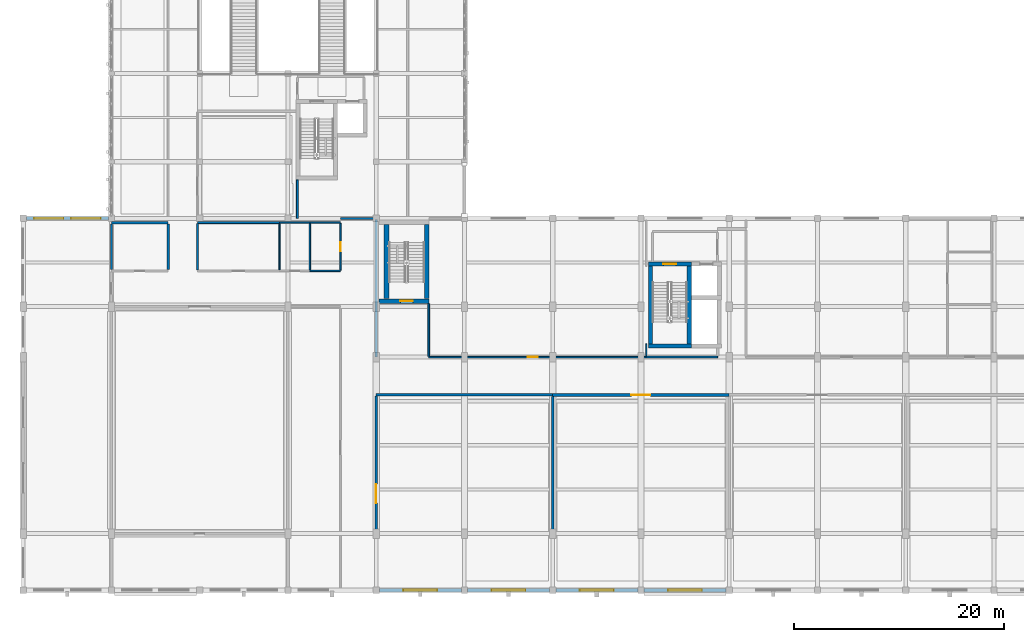
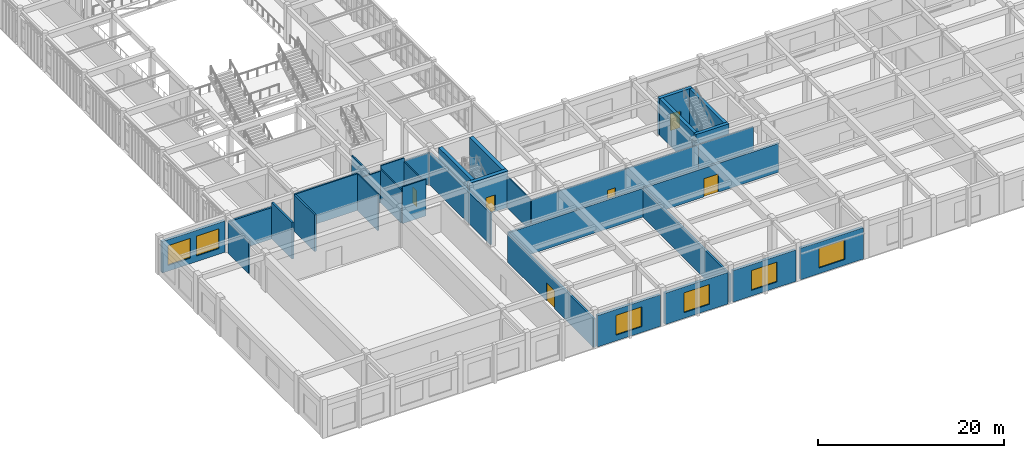
# One storey, part 72 of 93: 34 walls, 6 doors, 6 windows, 12 openings.
"""IFC4 building model written with IfcOpenShell, lengths in metres."""

from ifc_helpers import new_model, si_unit, direction, frame, frame_2d, origin, place, context, subcontext, project, spatial, rectangle, extrude, material, layer, layer_set, type_object, element, fill, save


model = new_model("IFC4")

# Units and contexts
model_context = context("Model", 3, precision=1e-05, world=origin(), true_north=direction((0.0, 1.0)))
body_context = subcontext(model_context, "Body", "Model", "MODEL_VIEW")
ifc_project = project(units=[si_unit("LENGTHUNIT", "METRE"), si_unit("AREAUNIT", "SQUARE_METRE"), si_unit("VOLUMEUNIT", "CUBIC_METRE"), si_unit("PLANEANGLEUNIT", "RADIAN"), si_unit("MASSUNIT", "GRAM", prefix="KILO")], contexts=[model_context])

# Site, building, storey
site_placement = place(None, origin())
site = spatial("IfcSite", under=ifc_project, at=site_placement, CompositionType="ELEMENT")
building_placement = place(site_placement, origin())
building = spatial("IfcBuilding", under=site, at=building_placement, Name="Krzemoval Escarpment Law Courts", CompositionType="ELEMENT")
storey_placement = place(building_placement, frame((0.0, 0.0, 10.199951171875)))
storey = spatial("IfcBuildingStorey", under=building, at=storey_placement, Name="L02", CompositionType="ELEMENT", Elevation=10.199951171875)

# Wall, openings, windows
ifc_material_1 = material(Name="Precast concrete C40/50", Category="concrete")
ifc_layer_1 = layer(ifc_material_1, 0.340087890625)
ifc_layer_set_1 = layer_set([ifc_layer_1], Name="Precast concrete C40/50")
wall_type_1 = type_object("IfcWallType", Name="WL-EXT-340", PredefinedType="SOLIDWALL", material=ifc_layer_set_1)
wall_1_placement = place(storey_placement, frame((0.300048828125, 35.39990234375, 0.0), z_axis=(0.0, 0.0, 1.0), x_axis=(1.0, 0.0, 0.0)))
wall_1 = element("IfcWall", 1, at=wall_1_placement, inside=storey, type_object=wall_type_1, Name="Exterior Wall EW-L02-0266", PredefinedType="SOLIDWALL", context=body_context, shape_type="SweptSolid", body=[
    extrude(rectangle(XDim=7.800048828125, YDim=0.340087890625, at=frame_2d((3.89990234375, 0.0))), origin(), (0.0, 0.0, 1.0), 4.1201171875),
])
opening_1_placement = place(wall_1_placement, frame((0.73291015625, 0.0, 0.75)))
opening_1 = element("IfcOpeningElement", 2, at=opening_1_placement, cuts=wall_1, Name="Opening WN-L02-0280", PredefinedType="OPENING", context=body_context, shape_type="SweptSolid", body=[
    extrude(rectangle(XDim=2.800048828125, YDim=2.60009765625, at=frame_2d((1.39990234375, 1.300048828125))), frame((0.0, 0.18504, 0.0), z_axis=(0.0, -1.0, 0.0), x_axis=(1.0, 0.0, 0.0)), (0.0, 0.0, 1.0), 0.37009),
])
opening_2_placement = place(wall_1_placement, frame((4.26708984375, 0.0, 0.75)))
opening_2 = element("IfcOpeningElement", 3, at=opening_2_placement, cuts=wall_1, Name="Opening WN-L02-0281", PredefinedType="OPENING", context=body_context, shape_type="SweptSolid", body=[
    extrude(rectangle(XDim=2.800048828125, YDim=2.60009765625, at=frame_2d((1.39990234375, 1.300048828125))), frame((0.0, 0.18504, 0.0), z_axis=(0.0, -1.0, 0.0), x_axis=(1.0, 0.0, 0.0)), (0.0, 0.0, 1.0), 0.37009),
])
ifc_material_2 = material(Name="Thermally Broken Aluminium Frame with Triple Low-E Acoustic Glass", Category="aluminium")
window_type_1 = type_object("IfcWindowType", Name="WN-2800x2600", PartitioningType="SINGLE_PANEL", PredefinedType="WINDOW", material=ifc_material_2)
window_1_placement = place(opening_1_placement, origin())
window_1 = element("IfcWindow", 4, at=window_1_placement, inside=storey, type_object=window_type_1, Name="Facade Window WN-L02-0280", OverallHeight=2.60009765625, OverallWidth=2.800048828125, PartitioningType="SINGLE_PANEL", PredefinedType="WINDOW", context=body_context, shape_type="SweptSolid", body=[
    extrude(rectangle(XDim=2.800048828125, YDim=2.60009765625, at=frame_2d((1.39990234375, 1.300048828125))), frame((0.0, 0.030029296875, 0.0), z_axis=(0.0, -1.0, 0.0), x_axis=(1.0, 0.0, 0.0)), (0.0, 0.0, 1.0), 0.06005859375),
])
fill(opening_1, window_1)
window_2_placement = place(opening_2_placement, origin())
window_2 = element("IfcWindow", 5, at=window_2_placement, inside=storey, type_object=window_type_1, Name="Facade Window WN-L02-0281", OverallHeight=2.60009765625, OverallWidth=2.800048828125, PartitioningType="SINGLE_PANEL", PredefinedType="WINDOW", context=body_context, shape_type="SweptSolid", body=[
    extrude(rectangle(XDim=2.800048828125, YDim=2.60009765625, at=frame_2d((1.39990234375, 1.300048828125))), frame((0.0, 0.030029296875, 0.0), z_axis=(0.0, -1.0, 0.0), x_axis=(1.0, 0.0, 0.0)), (0.0, 0.0, 1.0), 0.06005859375),
])
fill(opening_2, window_2)

# Wall, opening, window
wall_2_placement = place(storey_placement, frame((66.89990234375, 0.0, 0.0), z_axis=(0.0, 0.0, 1.0), x_axis=(-1.0, 0.0, 0.0)))
wall_2 = element("IfcWall", 6, at=wall_2_placement, inside=storey, type_object=wall_type_1, Name="Exterior Wall EW-L02-0298", PredefinedType="SOLIDWALL", context=body_context, shape_type="SweptSolid", body=[
    extrude(rectangle(XDim=7.7998046875, YDim=0.340087890625, at=frame_2d((3.89990234375, 0.0))), origin(), (0.0, 0.0, 1.0), 4.1201171875),
])
opening_3_placement = place(wall_2_placement, frame((2.300048828125, 0.0, 0.75)))
opening_3 = element("IfcOpeningElement", 7, at=opening_3_placement, cuts=wall_2, Name="Opening WN-L02-0321", PredefinedType="OPENING", context=body_context, shape_type="SweptSolid", body=[
    extrude(rectangle(XDim=3.199951171875, YDim=2.60009765625, at=frame_2d((1.60009765625, 1.300048828125))), frame((0.0, 0.18504, 0.0), z_axis=(0.0, -1.0, 0.0), x_axis=(1.0, 0.0, 0.0)), (0.0, 0.0, 1.0), 0.37009),
])
ifc_material_3 = material(Name="Thermally Broken Aluminium Frame with Triple Low-E Acoustic Glass", Category="aluminium")
window_type_2 = type_object("IfcWindowType", Name="WN-3200x2600", PartitioningType="SINGLE_PANEL", PredefinedType="WINDOW", material=ifc_material_3)
window_3_placement = place(opening_3_placement, origin())
window_3 = element("IfcWindow", 8, at=window_3_placement, inside=storey, type_object=window_type_2, Name="Facade Window WN-L02-0321", OverallHeight=2.60009765625, OverallWidth=3.199951171875, PartitioningType="SINGLE_PANEL", PredefinedType="WINDOW", context=body_context, shape_type="SweptSolid", body=[
    extrude(rectangle(XDim=3.199951171875, YDim=2.60009765625, at=frame_2d((1.60009765625, 1.300048828125))), frame((0.0, 0.030029296875, 0.0), z_axis=(0.0, -1.0, 0.0), x_axis=(1.0, 0.0, 0.0)), (0.0, 0.0, 1.0), 0.06005859375),
])
fill(opening_3, window_3)

wall_3_placement = place(storey_placement, frame((58.5, 0.0, 0.0), z_axis=(0.0, 0.0, 1.0), x_axis=(-1.0, 0.0, 0.0)))
wall_3 = element("IfcWall", 9, at=wall_3_placement, inside=storey, type_object=wall_type_1, Name="Exterior Wall EW-L02-0299", PredefinedType="SOLIDWALL", context=body_context, shape_type="SweptSolid", body=[
    extrude(rectangle(XDim=7.800048828125, YDim=0.340087890625, at=frame_2d((3.89990234375, 0.0))), origin(), (0.0, 0.0, 1.0), 4.1201171875),
])
opening_4_placement = place(wall_3_placement, frame((2.300048828125, 0.0, 0.75)))
opening_4 = element("IfcOpeningElement", 10, at=opening_4_placement, cuts=wall_3, Name="Opening WN-L02-0322", PredefinedType="OPENING", context=body_context, shape_type="SweptSolid", body=[
    extrude(rectangle(XDim=3.199951171875, YDim=2.60009765625, at=frame_2d((1.60009765625, 1.300048828125))), frame((0.0, 0.18504, 0.0), z_axis=(0.0, -1.0, 0.0), x_axis=(1.0, 0.0, 0.0)), (0.0, 0.0, 1.0), 0.37009),
])
window_4_placement = place(opening_4_placement, origin())
window_4 = element("IfcWindow", 11, at=window_4_placement, inside=storey, type_object=window_type_2, Name="Facade Window WN-L02-0322", OverallHeight=2.60009765625, OverallWidth=3.199951171875, PartitioningType="SINGLE_PANEL", PredefinedType="WINDOW", context=body_context, shape_type="SweptSolid", body=[
    extrude(rectangle(XDim=3.199951171875, YDim=2.60009765625, at=frame_2d((1.60009765625, 1.300048828125))), frame((0.0, 0.030029296875, 0.0), z_axis=(0.0, -1.0, 0.0), x_axis=(1.0, 0.0, 0.0)), (0.0, 0.0, 1.0), 0.06005859375),
])
fill(opening_4, window_4)

wall_4_placement = place(storey_placement, frame((50.10009765625, 0.0, 0.0), z_axis=(0.0, 0.0, 1.0), x_axis=(-1.0, 0.0, 0.0)))
wall_4 = element("IfcWall", 12, at=wall_4_placement, inside=storey, type_object=wall_type_1, Name="Exterior Wall EW-L02-0300", PredefinedType="SOLIDWALL", context=body_context, shape_type="SweptSolid", body=[
    extrude(rectangle(XDim=7.800048828125, YDim=0.340087890625, at=frame_2d((3.89990234375, 0.0))), origin(), (0.0, 0.0, 1.0), 4.1201171875),
])
opening_5_placement = place(wall_4_placement, frame((2.300048828125, 0.0, 0.75)))
opening_5 = element("IfcOpeningElement", 13, at=opening_5_placement, cuts=wall_4, Name="Opening WN-L02-0323", PredefinedType="OPENING", context=body_context, shape_type="SweptSolid", body=[
    extrude(rectangle(XDim=3.199951171875, YDim=2.60009765625, at=frame_2d((1.60009765625, 1.300048828125))), frame((0.0, 0.18504, 0.0), z_axis=(0.0, -1.0, 0.0), x_axis=(1.0, 0.0, 0.0)), (0.0, 0.0, 1.0), 0.37009),
])
window_5_placement = place(opening_5_placement, origin())
window_5 = element("IfcWindow", 14, at=window_5_placement, inside=storey, type_object=window_type_2, Name="Facade Window WN-L02-0323", OverallHeight=2.60009765625, OverallWidth=3.199951171875, PartitioningType="SINGLE_PANEL", PredefinedType="WINDOW", context=body_context, shape_type="SweptSolid", body=[
    extrude(rectangle(XDim=3.199951171875, YDim=2.60009765625, at=frame_2d((1.60009765625, 1.300048828125))), frame((0.0, 0.030029296875, 0.0), z_axis=(0.0, -1.0, 0.0), x_axis=(1.0, 0.0, 0.0)), (0.0, 0.0, 1.0), 0.06005859375),
])
fill(opening_5, window_5)

wall_5_placement = place(storey_placement, frame((41.699951171875, 0.0, 0.0), z_axis=(0.0, 0.0, 1.0), x_axis=(-1.0, 0.0, 0.0)))
wall_5 = element("IfcWall", 15, at=wall_5_placement, inside=storey, type_object=wall_type_1, Name="Exterior Wall EW-L02-0301", PredefinedType="SOLIDWALL", context=body_context, shape_type="SweptSolid", body=[
    extrude(rectangle(XDim=7.800048828125, YDim=0.340087890625, at=frame_2d((3.89990234375, 0.0))), origin(), (0.0, 0.0, 1.0), 4.1201171875),
])
opening_6_placement = place(wall_5_placement, frame((2.300048828125, 0.0, 0.75)))
opening_6 = element("IfcOpeningElement", 16, at=opening_6_placement, cuts=wall_5, Name="Opening WN-L02-0324", PredefinedType="OPENING", context=body_context, shape_type="SweptSolid", body=[
    extrude(rectangle(XDim=3.199951171875, YDim=2.60009765625, at=frame_2d((1.60009765625, 1.300048828125))), frame((0.0, 0.18504, 0.0), z_axis=(0.0, -1.0, 0.0), x_axis=(1.0, 0.0, 0.0)), (0.0, 0.0, 1.0), 0.37009),
])
window_6_placement = place(opening_6_placement, origin())
window_6 = element("IfcWindow", 17, at=window_6_placement, inside=storey, type_object=window_type_2, Name="Facade Window WN-L02-0324", OverallHeight=2.60009765625, OverallWidth=3.199951171875, PartitioningType="SINGLE_PANEL", PredefinedType="WINDOW", context=body_context, shape_type="SweptSolid", body=[
    extrude(rectangle(XDim=3.199951171875, YDim=2.60009765625, at=frame_2d((1.60009765625, 1.300048828125))), frame((0.0, 0.030029296875, 0.0), z_axis=(0.0, -1.0, 0.0), x_axis=(1.0, 0.0, 0.0)), (0.0, 0.0, 1.0), 0.06005859375),
])
fill(opening_6, window_6)

# Walls
ifc_material_4 = material(Name="Standard Metal-Stud Gypsum Partition", Category="gypsum")
ifc_layer_2 = layer(ifc_material_4, 0.125)
ifc_layer_set_2 = layer_set([ifc_layer_2], Name="Standard Metal-Stud Gypsum Partition")
wall_type_2 = type_object("IfcWallType", Name="WL-PRT-125", PredefinedType="PARTITIONING", material=ifc_layer_set_2)
wall_6_placement = place(storey_placement, frame((59.300048828125, 22.281982421875, 0.0), z_axis=(0.0, 0.0, 1.0), x_axis=(0.0, 1.0, 0.0)))
element("IfcWall", 18, at=wall_6_placement, inside=storey, type_object=wall_type_2, Name="Interior Partition PW-L02-0445", PredefinedType="PARTITIONING", context=body_context, shape_type="SweptSolid", body=[
    extrude(rectangle(XDim=1.169921875, YDim=0.125, at=frame_2d((0.5849609375, 0.0))), origin(), (0.0, 0.0, 1.0), 4.1201171875),
])
ifc_material_5 = material(Name="Sanitary Moisture-Resistant Partition", Category="gypsum")
ifc_layer_3 = layer(ifc_material_5, 0.139892578125)
ifc_layer_set_3 = layer_set([ifc_layer_3], Name="Sanitary Moisture-Resistant Partition")
wall_type_3 = type_object("IfcWallType", Name="WL-PRT-140", PredefinedType="PARTITIONING", material=ifc_layer_set_3)
wall_7_placement = place(storey_placement, frame((27.300048828125, 30.39990234375, 0.0), z_axis=(0.0, 0.0, 1.0), x_axis=(1.0, 0.0, 0.0)))
element("IfcWall", 19, at=wall_7_placement, inside=storey, type_object=wall_type_3, Name="Interior Partition PW-L02-0388", PredefinedType="PARTITIONING", context=body_context, shape_type="SweptSolid", body=[
    extrude(rectangle(XDim=2.89990234375, YDim=0.139892578125, at=frame_2d((1.449951171875, 0.0))), origin(), (0.0, 0.0, 1.0), 4.820068359375),
])
wall_8_placement = place(storey_placement, frame((24.39990234375, 35.0, 0.0), z_axis=(0.0, 0.0, 1.0), x_axis=(1.0, 0.0, 0.0)))
element("IfcWall", 20, at=wall_8_placement, inside=storey, type_object=wall_type_3, Name="Interior Partition PW-L02-0396", PredefinedType="PARTITIONING", context=body_context, shape_type="SweptSolid", body=[
    extrude(rectangle(XDim=2.900146484375, YDim=0.139892578125, at=frame_2d((1.4501953125, 0.0))), origin(), (0.0, 0.0, 1.0), 4.1201171875),
])
wall_9_placement = place(storey_placement, frame((27.300048828125, 35.0, 0.0), z_axis=(0.0, 0.0, 1.0), x_axis=(1.0, 0.0, 0.0)))
element("IfcWall", 21, at=wall_9_placement, inside=storey, type_object=wall_type_3, Name="Interior Partition PW-L02-0397", PredefinedType="PARTITIONING", context=body_context, shape_type="SweptSolid", body=[
    extrude(rectangle(XDim=2.89990234375, YDim=0.139892578125, at=frame_2d((1.449951171875, 0.0))), origin(), (0.0, 0.0, 1.0), 4.820068359375),
])
wall_10_placement = place(storey_placement, frame((24.39990234375, 30.501953125, 0.0), z_axis=(0.0, 0.0, 1.0), x_axis=(0.0, 1.0, 0.0)))
element("IfcWall", 22, at=wall_10_placement, inside=storey, type_object=wall_type_3, Name="Interior Partition PW-L02-0430", PredefinedType="PARTITIONING", context=body_context, shape_type="SweptSolid", body=[
    extrude(rectangle(XDim=4.406005859375, YDim=0.139892578125, at=frame_2d((2.203125, 0.0))), origin(), (0.0, 0.0, 1.0), 4.820068359375),
])
wall_11_placement = place(storey_placement, frame((27.300048828125, 30.471923828125, 0.0), z_axis=(0.0, 0.0, 1.0), x_axis=(0.0, 1.0, 0.0)))
element("IfcWall", 23, at=wall_11_placement, inside=storey, type_object=wall_type_3, Name="Interior Partition PW-L02-0435", PredefinedType="PARTITIONING", context=body_context, shape_type="SweptSolid", body=[
    extrude(rectangle(XDim=4.4560546875, YDim=0.139892578125, at=frame_2d((2.22802734375, 0.0))), origin(), (0.0, 0.0, 1.0), 4.3701171875),
])

# Wall, opening, door
wall_12_placement = place(storey_placement, frame((30.199951171875, 30.471923828125, 0.0), z_axis=(0.0, 0.0, 1.0), x_axis=(0.0, 1.0, 0.0)))
wall_12 = element("IfcWall", 24, at=wall_12_placement, inside=storey, type_object=wall_type_3, Name="Interior Partition PW-L02-0437", PredefinedType="PARTITIONING", context=body_context, shape_type="SweptSolid", body=[
    extrude(rectangle(XDim=4.4560546875, YDim=0.139892578125, at=frame_2d((2.22802734375, 0.0))), origin(), (0.0, 0.0, 1.0), 4.3701171875),
])
opening_7_placement = place(wall_12_placement, frame((1.778076171875, 0.0, 0.0)))
opening_7 = element("IfcOpeningElement", 25, at=opening_7_placement, cuts=wall_12, Name="Opening D-L02-0139", PredefinedType="OPENING", context=body_context, shape_type="SweptSolid", body=[
    extrude(rectangle(XDim=0.89990234375, YDim=2.10009765625, at=frame_2d((0.449951171875, 1.050048828125))), frame((0.0, 0.08495, 0.0), z_axis=(0.0, -1.0, 0.0), x_axis=(1.0, 0.0, 0.0)), (0.0, 0.0, 1.0), 0.16989),
])
ifc_material_6 = material(Name="Engineered Solid-Core Oak Acoustic Timber", Category="wood")
door_type_1 = type_object("IfcDoorType", Name="DR-INT-900x2100", OperationType="SINGLE_SWING_LEFT", PredefinedType="DOOR", material=ifc_material_6)
door_1_placement = place(opening_7_placement, origin())
door_1 = element("IfcDoor", 26, at=door_1_placement, inside=storey, type_object=door_type_1, Name="Room Door D-L02-0139", OperationType="SINGLE_SWING_LEFT", OverallHeight=2.10009765625, OverallWidth=0.89990234375, PredefinedType="DOOR", context=body_context, shape_type="SweptSolid", body=[
    extrude(rectangle(XDim=0.89990234375, YDim=2.10009765625, at=frame_2d((0.449951171875, 1.050048828125))), frame((0.0, 0.02490234375, 0.0), z_axis=(0.0, -1.0, 0.0), x_axis=(1.0, 0.0, 0.0)), (0.0, 0.0, 1.0), 0.050048828125),
])
fill(opening_7, door_1)

ifc_material_7 = material(Name="Office Acoustic Partition Wall", Category="gypsum")
ifc_layer_4 = layer(ifc_material_7, 0.14990234375)
ifc_layer_set_4 = layer_set([ifc_layer_4], Name="Office Acoustic Partition Wall")
wall_type_4 = type_object("IfcWallType", Name="WL-PRT-150", PredefinedType="PARTITIONING", material=ifc_layer_set_4)
wall_13_placement = place(storey_placement, frame((38.60009765625, 22.199951171875, 0.0), z_axis=(0.0, 0.0, 1.0), x_axis=(1.0, 0.0, 0.0)))
wall_13 = element("IfcWall", 27, at=wall_13_placement, inside=storey, type_object=wall_type_4, Name="Interior Partition PW-L02-0372", PredefinedType="PARTITIONING", context=body_context, shape_type="SweptSolid", body=[
    extrude(rectangle(XDim=20.699951171875, YDim=0.14990234375, at=frame_2d((10.35009765625, 0.0))), origin(), (0.0, 0.0, 1.0), 4.1201171875),
])
opening_8_placement = place(wall_13_placement, frame((9.425048828125, 0.0, 0.0)))
opening_8 = element("IfcOpeningElement", 28, at=opening_8_placement, cuts=wall_13, Name="Opening D-L02-0144", PredefinedType="OPENING", context=body_context, shape_type="SweptSolid", body=[
    extrude(rectangle(XDim=0.949951171875, YDim=2.10009765625, at=frame_2d((0.47509765625, 1.050048828125))), frame((0.0, 0.08995, 0.0), z_axis=(0.0, -1.0, 0.0), x_axis=(1.0, 0.0, 0.0)), (0.0, 0.0, 1.0), 0.1799),
])
ifc_material_8 = material(Name="Engineered Solid-Core Oak Acoustic Timber", Category="wood")
door_type_2 = type_object("IfcDoorType", Name="DR-INT-950x2100", OperationType="SINGLE_SWING_LEFT", PredefinedType="DOOR", material=ifc_material_8)
door_2_placement = place(opening_8_placement, origin())
door_2 = element("IfcDoor", 29, at=door_2_placement, inside=storey, type_object=door_type_2, Name="Room Door D-L02-0144", OperationType="SINGLE_SWING_RIGHT", OverallHeight=2.10009765625, OverallWidth=0.949951171875, PredefinedType="DOOR", context=body_context, shape_type="SweptSolid", body=[
    extrude(rectangle(XDim=0.949951171875, YDim=2.10009765625, at=frame_2d((0.47509765625, 1.050048828125))), frame((0.0, 0.02490234375, 0.0), z_axis=(0.0, -1.0, 0.0), x_axis=(1.0, 0.0, 0.0)), (0.0, 0.0, 1.0), 0.050048828125),
])
fill(opening_8, door_2)

# Walls
ifc_material_9 = material(Name="Jury Suite Partition Assembly", Category="gypsum")
ifc_layer_5 = layer(ifc_material_9, 0.159912109375)
ifc_layer_set_5 = layer_set([ifc_layer_5], Name="Jury Suite Partition Assembly")
wall_type_5 = type_object("IfcWallType", Name="WL-PRT-160", PredefinedType="PARTITIONING", material=ifc_layer_set_5)
wall_14_placement = place(storey_placement, frame((59.300048828125, 22.199951171875, 0.0), z_axis=(0.0, 0.0, 1.0), x_axis=(1.0, 0.0, 0.0)))
element("IfcWall", 30, at=wall_14_placement, inside=storey, type_object=wall_type_5, Name="Interior Partition PW-L02-0371", PredefinedType="PARTITIONING", context=body_context, shape_type="SweptSolid", body=[
    extrude(rectangle(XDim=6.800048828125, YDim=0.159912109375, at=frame_2d((3.39990234375, 0.0))), origin(), (0.0, 0.0, 1.0), 4.1201171875),
])
wall_15_placement = place(storey_placement, frame((38.60009765625, 22.277099609375, 0.0), z_axis=(0.0, 0.0, 1.0), x_axis=(0.0, 1.0, 0.0)))
element("IfcWall", 31, at=wall_15_placement, inside=storey, type_object=wall_type_5, Name="Interior Partition PW-L02-0443", PredefinedType="PARTITIONING", context=body_context, shape_type="SweptSolid", body=[
    extrude(rectangle(XDim=5.02099609375, YDim=0.159912109375, at=frame_2d((2.510498046875, 0.0))), origin(), (0.0, 0.0, 1.0), 4.1201171875),
])
ifc_material_10 = material(Name="Judicial Chambers Acoustic Partition", Category="gypsum")
ifc_layer_6 = layer(ifc_material_10, 0.179931640625)
ifc_layer_set_6 = layer_set([ifc_layer_6], Name="Judicial Chambers Acoustic Partition")
wall_type_6 = type_object("IfcWallType", Name="WL-PRT-180", PredefinedType="PARTITIONING", material=ifc_layer_set_6)
wall_16_placement = place(storey_placement, frame((16.60009765625, 35.0, 0.0), z_axis=(0.0, 0.0, 1.0), x_axis=(1.0, 0.0, 0.0)))
element("IfcWall", 32, at=wall_16_placement, inside=storey, type_object=wall_type_6, Name="Interior Partition PW-L02-0395", PredefinedType="PARTITIONING", context=body_context, shape_type="SweptSolid", body=[
    extrude(rectangle(XDim=7.7998046875, YDim=0.179931640625, at=frame_2d((3.89990234375, 0.0))), origin(), (0.0, 0.0, 1.0), 4.820068359375),
])
wall_17_placement = place(storey_placement, frame((26.10009765625, 35.39990234375, 0.0), z_axis=(0.0, 0.0, 1.0), x_axis=(0.0, 1.0, 0.0)))
element("IfcWall", 33, at=wall_17_placement, inside=storey, type_object=wall_type_6, Name="Interior Partition PW-L02-0434", PredefinedType="PARTITIONING", context=body_context, shape_type="SweptSolid", body=[
    extrude(rectangle(XDim=3.668212890625, YDim=0.179931640625, at=frame_2d((1.833984375, 0.0))), origin(), (0.0, 0.0, 1.0), 4.1201171875),
])
ifc_material_11 = material(Name="Fire-Rated Corridor Partition Wall", Category="gypsum")
ifc_layer_7 = layer(ifc_material_11, 0.199951171875)
ifc_layer_set_7 = layer_set([ifc_layer_7], Name="Fire-Rated Corridor Partition Wall")
wall_type_7 = type_object("IfcWallType", Name="WL-PRT-200", PredefinedType="PARTITIONING", material=ifc_layer_set_7)
wall_18_placement = place(storey_placement, frame((30.199951171875, 35.39990234375, 0.0), z_axis=(0.0, 0.0, 1.0), x_axis=(1.0, 0.0, 0.0)))
element("IfcWall", 34, at=wall_18_placement, inside=storey, type_object=wall_type_7, Name="Interior Partition PW-L02-0398", PredefinedType="PARTITIONING", context=body_context, shape_type="SweptSolid", body=[
    extrude(rectangle(XDim=3.400146484375, YDim=0.199951171875, at=frame_2d((1.7001953125, 0.0))), origin(), (0.0, 0.0, 1.0), 4.1201171875),
])
wall_19_placement = place(storey_placement, frame((8.39990234375, 30.511962890625, 0.0), z_axis=(0.0, 0.0, 1.0), x_axis=(0.0, 1.0, 0.0)))
element("IfcWall", 35, at=wall_19_placement, inside=storey, type_object=wall_type_7, Name="Interior Partition PW-L02-0424", PredefinedType="PARTITIONING", context=body_context, shape_type="SweptSolid", body=[
    extrude(rectangle(XDim=4.365966796875, YDim=0.199951171875, at=frame_2d((2.18310546875, 0.0))), origin(), (0.0, 0.0, 1.0), 4.1201171875),
])
ifc_material_12 = material(Name="Solid Calcium-Silicate Custody Blockwork Partition", Category="masonry")
ifc_layer_8 = layer(ifc_material_12, 0.219970703125)
ifc_layer_set_8 = layer_set([ifc_layer_8], Name="Solid Calcium-Silicate Custody Blockwork Partition")
wall_type_8 = type_object("IfcWallType", Name="WL-PRT-220", PredefinedType="PARTITIONING", material=ifc_layer_set_8)
wall_20_placement = place(storey_placement, frame((16.60009765625, 30.501953125, 0.0), z_axis=(0.0, 0.0, 1.0), x_axis=(0.0, 1.0, 0.0)))
element("IfcWall", 36, at=wall_20_placement, inside=storey, type_object=wall_type_8, Name="Interior Partition PW-L02-0427", PredefinedType="PARTITIONING", context=body_context, shape_type="SweptSolid", body=[
    extrude(rectangle(XDim=4.406005859375, YDim=0.219970703125, at=frame_2d((2.203125, 0.0))), origin(), (0.0, 0.0, 1.0), 4.820068359375),
])
ifc_material_13 = material(Name="Acoustic Calcium-Silicate Block Wall", Category="masonry")
ifc_layer_9 = layer(ifc_material_13, 0.22998046875)
ifc_layer_set_9 = layer_set([ifc_layer_9], Name="Acoustic Calcium-Silicate Block Wall")
wall_type_9 = type_object("IfcWallType", Name="WL-PRT-230", PredefinedType="SOLIDWALL", material=ifc_layer_set_9)
wall_21_placement = place(storey_placement, frame((13.800048828125, 30.511962890625, 0.0), z_axis=(0.0, 0.0, 1.0), x_axis=(0.0, 1.0, 0.0)))
element("IfcWall", 37, at=wall_21_placement, inside=storey, type_object=wall_type_9, Name="Interior Partition PW-L02-0425", PredefinedType="SOLIDWALL", context=body_context, shape_type="SweptSolid", body=[
    extrude(rectangle(XDim=4.365966796875, YDim=0.22998046875, at=frame_2d((2.18310546875, 0.0))), origin(), (0.0, 0.0, 1.0), 4.820068359375),
])
ifc_material_14 = material(Name="Acoustic Courtroom Partition Assembly", Category="gypsum")
ifc_layer_10 = layer(ifc_material_14, 0.239990234375)
ifc_layer_set_10 = layer_set([ifc_layer_10], Name="Acoustic Courtroom Partition Assembly")
wall_type_10 = type_object("IfcWallType", Name="WL-PRT-240", PredefinedType="PARTITIONING", material=ifc_layer_set_10)
wall_22_placement = place(storey_placement, frame((33.60009765625, 18.60009765625, 0.0), z_axis=(0.0, 0.0, 1.0), x_axis=(1.0, 0.0, 0.0)))
element("IfcWall", 38, at=wall_22_placement, inside=storey, type_object=wall_type_10, Name="Interior Partition PW-L02-0366", PredefinedType="PARTITIONING", context=body_context, shape_type="SweptSolid", body=[
    extrude(rectangle(XDim=16.7998046875, YDim=0.239990234375, at=frame_2d((8.39990234375, 0.0))), origin(), (0.0, 0.0, 1.0), 3.77001953125),
])
wall_23_placement = place(storey_placement, frame((8.39990234375, 35.0, 0.0), z_axis=(0.0, 0.0, 1.0), x_axis=(1.0, 0.0, 0.0)))
element("IfcWall", 39, at=wall_23_placement, inside=storey, type_object=wall_type_10, Name="Interior Partition PW-L02-0394", PredefinedType="PARTITIONING", context=body_context, shape_type="SweptSolid", body=[
    extrude(rectangle(XDim=5.400146484375, YDim=0.239990234375, at=frame_2d((2.7001953125, 0.0))), origin(), (0.0, 0.0, 1.0), 4.1201171875),
])

# Wall, opening, door
wall_24_placement = place(storey_placement, frame((33.60009765625, -0.06396484375, 0.0), z_axis=(0.0, 0.0, 1.0), x_axis=(0.0, 1.0, 0.0)))
wall_24 = element("IfcWall", 40, at=wall_24_placement, inside=storey, type_object=wall_type_10, Name="Interior Partition PW-L02-0440", PredefinedType="PARTITIONING", context=body_context, shape_type="SweptSolid", body=[
    extrude(rectangle(XDim=18.5419921875, YDim=0.239990234375, at=frame_2d((9.27099609375, 0.0))), origin(), (0.0, 0.0, 1.0), 3.77001953125),
])
opening_9_placement = place(wall_24_placement, frame((8.37109375, 0.0, 0.0)))
opening_9 = element("IfcOpeningElement", 41, at=opening_9_placement, cuts=wall_24, Name="Opening D-L02-0140", PredefinedType="OPENING", context=body_context, shape_type="SweptSolid", body=[
    extrude(rectangle(XDim=1.800048828125, YDim=2.39990234375, at=frame_2d((0.89990234375, 1.199951171875))), frame((0.0, 0.135, 0.0), z_axis=(0.0, -1.0, 0.0), x_axis=(1.0, 0.0, 0.0)), (0.0, 0.0, 1.0), 0.26999),
])
ifc_material_15 = material(Name="Engineered Solid-Core Oak Acoustic Timber", Category="wood")
door_type_3 = type_object("IfcDoorType", Name="DR-CRT-1800x2400", OperationType="SINGLE_SWING_LEFT", PredefinedType="DOOR", material=ifc_material_15)
door_3_placement = place(opening_9_placement, origin())
door_3 = element("IfcDoor", 42, at=door_3_placement, inside=storey, type_object=door_type_3, Name="Room Door D-L02-0140", OperationType="SINGLE_SWING_LEFT", OverallHeight=2.39990234375, OverallWidth=1.800048828125, PredefinedType="DOOR", context=body_context, shape_type="SweptSolid", body=[
    extrude(rectangle(XDim=1.800048828125, YDim=2.39990234375, at=frame_2d((0.89990234375, 1.199951171875))), frame((0.0, 0.02490234375, 0.0), z_axis=(0.0, -1.0, 0.0), x_axis=(1.0, 0.0, 0.0)), (0.0, 0.0, 1.0), 0.050048828125),
])
fill(opening_9, door_3)

# Wall
wall_25_placement = place(storey_placement, frame((50.39990234375, -0.06396484375, 0.0), z_axis=(0.0, 0.0, 1.0), x_axis=(0.0, 1.0, 0.0)))
element("IfcWall", 43, at=wall_25_placement, inside=storey, type_object=wall_type_10, Name="Interior Partition PW-L02-0444", PredefinedType="PARTITIONING", context=body_context, shape_type="SweptSolid", body=[
    extrude(rectangle(XDim=18.531982421875, YDim=0.239990234375, at=frame_2d((9.26611328125, 0.0))), origin(), (0.0, 0.0, 1.0), 3.77001953125),
])

# Wall, opening, door
ifc_material_16 = material(Name="Acoustic Double-Stud Gypsum and Mineral Wool Wall", Category="gypsum")
ifc_layer_11 = layer(ifc_material_16, 0.260009765625)
ifc_layer_set_11 = layer_set([ifc_layer_11], Name="Acoustic Double-Stud Gypsum and Mineral Wool Wall")
wall_type_11 = type_object("IfcWallType", Name="WL-PRT-260", PredefinedType="PARTITIONING", material=ifc_layer_set_11)
wall_26_placement = place(storey_placement, frame((50.39990234375, 18.60009765625, 0.0), z_axis=(0.0, 0.0, 1.0), x_axis=(1.0, 0.0, 0.0)))
wall_26 = element("IfcWall", 44, at=wall_26_placement, inside=storey, type_object=wall_type_11, Name="Interior Partition PW-L02-0367", PredefinedType="PARTITIONING", context=body_context, shape_type="SweptSolid", body=[
    extrude(rectangle(XDim=16.800048828125, YDim=0.260009765625, at=frame_2d((8.39990234375, 0.0))), origin(), (0.0, 0.0, 1.0), 3.77001953125),
])
opening_10_placement = place(wall_26_placement, frame((7.5, 0.0, 0.0)))
opening_10 = element("IfcOpeningElement", 45, at=opening_10_placement, cuts=wall_26, Name="Opening D-L02-0141", PredefinedType="OPENING", context=body_context, shape_type="SweptSolid", body=[
    extrude(rectangle(XDim=1.800048828125, YDim=2.39990234375, at=frame_2d((0.89990234375, 1.199951171875))), frame((0.0, 0.145, 0.0), z_axis=(0.0, -1.0, 0.0), x_axis=(1.0, 0.0, 0.0)), (0.0, 0.0, 1.0), 0.29001),
])
door_4_placement = place(opening_10_placement, origin())
door_4 = element("IfcDoor", 46, at=door_4_placement, inside=storey, type_object=door_type_3, Name="Room Door D-L02-0141", OperationType="SINGLE_SWING_LEFT", OverallHeight=2.39990234375, OverallWidth=1.800048828125, PredefinedType="DOOR", context=body_context, shape_type="SweptSolid", body=[
    extrude(rectangle(XDim=1.800048828125, YDim=2.39990234375, at=frame_2d((0.89990234375, 1.199951171875))), frame((0.0, 0.02490234375, 0.0), z_axis=(0.0, -1.0, 0.0), x_axis=(1.0, 0.0, 0.0)), (0.0, 0.0, 1.0), 0.050048828125),
])
fill(opening_10, door_4)

# Wall
wall_27_placement = place(storey_placement, frame((33.60009765625, 22.199951171875, 0.0), z_axis=(0.0, 0.0, 1.0), x_axis=(0.0, 1.0, 0.0)))
element("IfcWall", 47, at=wall_27_placement, inside=storey, type_object=wall_type_11, Name="Interior Partition PW-L02-0439", PredefinedType="PARTITIONING", context=body_context, shape_type="SweptSolid", body=[
    extrude(rectangle(XDim=13.09814453125, YDim=0.260009765625, at=frame_2d((6.549072265625, 0.0))), origin(), (0.0, 0.0, 1.0), 4.1201171875),
])

# Wall, opening, door
ifc_material_17 = material(Name="Concrete C40/50", Category="concrete")
ifc_layer_12 = layer(ifc_material_17, 0.39990234375)
ifc_layer_set_12 = layer_set([ifc_layer_12], Name="Concrete C40/50")
wall_type_12 = type_object("IfcWallType", Name="WL-SHW-400", PredefinedType="SHEAR", material=ifc_layer_set_12)
wall_28_placement = place(storey_placement, frame((59.5, 31.050048828125, 0.0), z_axis=(0.0, 0.0, 1.0), x_axis=(1.0, 0.0, 0.0)))
wall_28 = element("IfcWall", 48, at=wall_28_placement, inside=storey, type_object=wall_type_12, Name="Core Stair Shear Wall SW-L02-0478", PredefinedType="SHEAR", context=body_context, shape_type="SweptSolid", body=[
    extrude(rectangle(XDim=4.10009765625, YDim=0.39990234375, at=frame_2d((2.050048828125, 0.0))), origin(), (0.0, 0.0, 1.0), 4.820068359375),
])
opening_11_placement = place(wall_28_placement, frame((1.449951171875, 0.0, 0.0)))
opening_11 = element("IfcOpeningElement", 49, at=opening_11_placement, cuts=wall_28, Name="Opening SD-ST4-L02", PredefinedType="OPENING", context=body_context, shape_type="SweptSolid", body=[
    extrude(rectangle(XDim=1.199951171875, YDim=2.199951171875, at=frame_2d((0.60009765625, 1.10009765625))), frame((0.0, 0.21495, 0.0), z_axis=(0.0, -1.0, 0.0), x_axis=(1.0, 0.0, 0.0)), (0.0, 0.0, 1.0), 0.4299),
])
ifc_material_18 = material(Name="Galvanised Steel S355", Category="steel")
door_type_4 = type_object("IfcDoorType", Name="DR-STR-1200x2200", OperationType="SINGLE_SWING_LEFT", PredefinedType="DOOR", material=ifc_material_18)
door_5_placement = place(opening_11_placement, origin())
door_5 = element("IfcDoor", 50, at=door_5_placement, inside=storey, type_object=door_type_4, Name="Stair Exit Door SD-ST4-L02", OperationType="SINGLE_SWING_LEFT", OverallHeight=2.199951171875, OverallWidth=1.199951171875, PredefinedType="DOOR", context=body_context, shape_type="SweptSolid", body=[
    extrude(rectangle(XDim=1.199951171875, YDim=2.199951171875, at=frame_2d((0.60009765625, 1.10009765625))), frame((0.0, 0.02490234375, 0.0), z_axis=(0.0, -1.0, 0.0), x_axis=(1.0, 0.0, 0.0)), (0.0, 0.0, 1.0), 0.050048828125),
])
fill(opening_11, door_5)

# Walls
wall_29_placement = place(storey_placement, frame((59.5, 23.25, 0.0), z_axis=(0.0, 0.0, 1.0), x_axis=(1.0, 0.0, 0.0)))
element("IfcWall", 51, at=wall_29_placement, inside=storey, type_object=wall_type_12, Name="Core Stair Shear Wall SW-L02-0479", PredefinedType="SHEAR", context=body_context, shape_type="SweptSolid", body=[
    extrude(rectangle(XDim=4.10009765625, YDim=0.39990234375, at=frame_2d((2.050048828125, 0.0))), origin(), (0.0, 0.0, 1.0), 4.820068359375),
])
for number, where, z_axis, x_axis, name in (
    (52, (59.699951171875, 23.451904296875, 0.0), (0.0, 0.0, 1.0), (0.0, 1.0, 0.0), "Core Stair Shear Wall SW-L02-0480"),
    (53, (63.39990234375, 23.451904296875, 0.0), (0.0, 0.0, 1.0), (0.0, 1.0, 0.0), "Core Stair Shear Wall SW-L02-0481"),
):
    element("IfcWall", number, at=place(storey_placement, frame(where, z_axis=z_axis, x_axis=x_axis)), inside=storey, type_object=wall_type_12, Name=name, PredefinedType="SHEAR", context=body_context, shape_type="SweptSolid", body=[
        extrude(rectangle(XDim=7.39599609375, YDim=0.39990234375, at=frame_2d((3.697998046875, 0.0))), origin(), (0.0, 0.0, 1.0), 4.820068359375),
    ])

# Wall, opening, door
ifc_material_19 = material(Name="Concrete C40/50", Category="concrete")
ifc_layer_13 = layer(ifc_material_19, 0.449951171875)
ifc_layer_set_13 = layer_set([ifc_layer_13], Name="Concrete C40/50")
wall_type_13 = type_object("IfcWallType", Name="WL-SHW-450", PredefinedType="SHEAR", material=ifc_layer_set_13)
wall_30_placement = place(storey_placement, frame((33.888916015625, 27.52490234375, 0.0), z_axis=(0.0, 0.0, 1.0), x_axis=(1.0, 0.0, 0.0)))
wall_30 = element("IfcWall", 54, at=wall_30_placement, inside=storey, type_object=wall_type_13, Name="Core Stair Shear Wall SW-L02-0608", PredefinedType="SHEAR", context=body_context, shape_type="SweptSolid", body=[
    extrude(rectangle(XDim=4.760986328125, YDim=0.449951171875, at=frame_2d((2.38037109375, 0.0))), origin(), (0.0, 0.0, 1.0), 4.820068359375),
])
opening_12_placement = place(wall_30_placement, frame((2.010986328125, 0.0, 0.0)))
opening_12 = element("IfcOpeningElement", 55, at=opening_12_placement, cuts=wall_30, Name="Opening SD-ST9-L02", PredefinedType="OPENING", context=body_context, shape_type="SweptSolid", body=[
    extrude(rectangle(XDim=1.199951171875, YDim=2.199951171875, at=frame_2d((0.60009765625, 1.10009765625))), frame((0.0, 0.23998, 0.0), z_axis=(0.0, -1.0, 0.0), x_axis=(1.0, 0.0, 0.0)), (0.0, 0.0, 1.0), 0.47995),
])
door_6_placement = place(opening_12_placement, origin())
door_6 = element("IfcDoor", 56, at=door_6_placement, inside=storey, type_object=door_type_4, Name="Stair Exit Door SD-ST9-L02", OperationType="SINGLE_SWING_LEFT", OverallHeight=2.199951171875, OverallWidth=1.199951171875, PredefinedType="DOOR", context=body_context, shape_type="SweptSolid", body=[
    extrude(rectangle(XDim=1.199951171875, YDim=2.199951171875, at=frame_2d((0.60009765625, 1.10009765625))), frame((0.0, 0.02490234375, 0.0), z_axis=(0.0, -1.0, 0.0), x_axis=(1.0, 0.0, 0.0)), (0.0, 0.0, 1.0), 0.050048828125),
])
fill(opening_12, door_6)

# Walls
for number, where, z_axis, x_axis, name in (
    (57, (34.574951171875, 27.751953125, 0.0), (0.0, 0.0, 1.0), (0.0, 1.0, 0.0), "Core Stair Shear Wall SW-L02-0609"),
    (58, (38.425048828125, 27.751953125, 0.0), (0.0, 0.0, 1.0), (0.0, 1.0, 0.0), "Core Stair Shear Wall SW-L02-0610"),
):
    element("IfcWall", number, at=place(storey_placement, frame(where, z_axis=z_axis, x_axis=x_axis)), inside=storey, type_object=wall_type_13, Name=name, PredefinedType="SHEAR", context=body_context, shape_type="SweptSolid", body=[
        extrude(rectangle(XDim=7.046142578125, YDim=0.449951171875, at=frame_2d((3.52294921875, 0.0))), origin(), (0.0, 0.0, 1.0), 4.820068359375),
    ])

save(model, "model.ifc")
